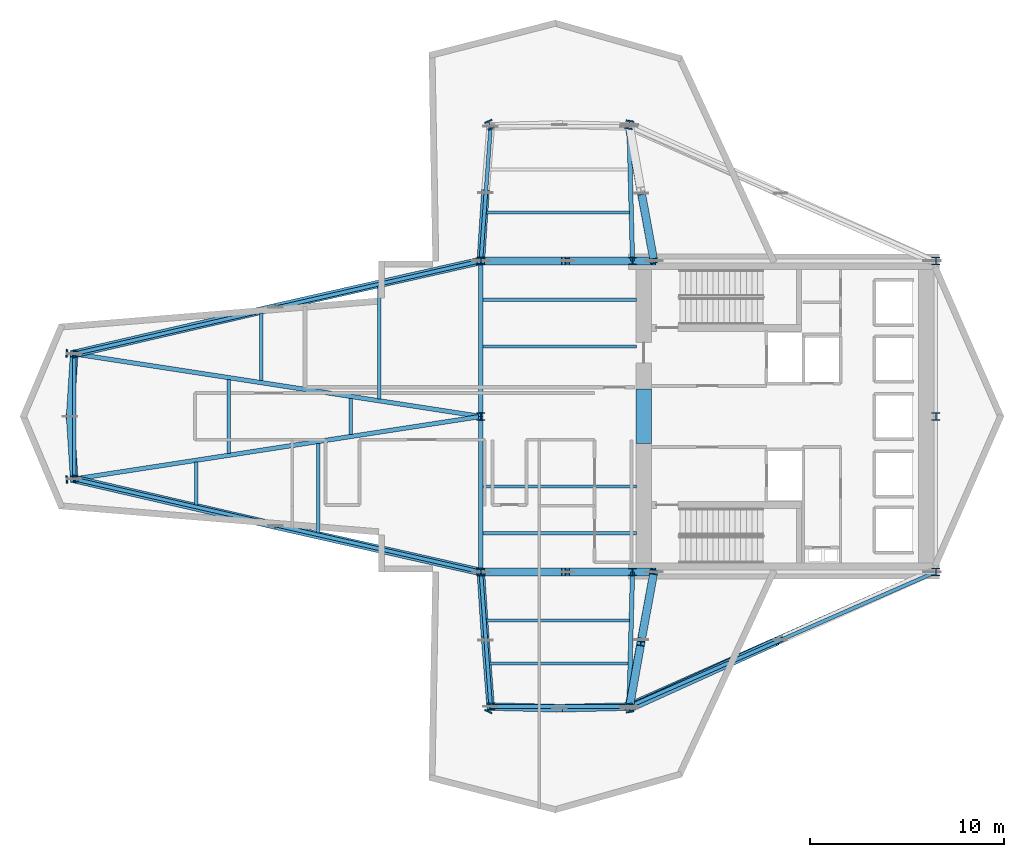
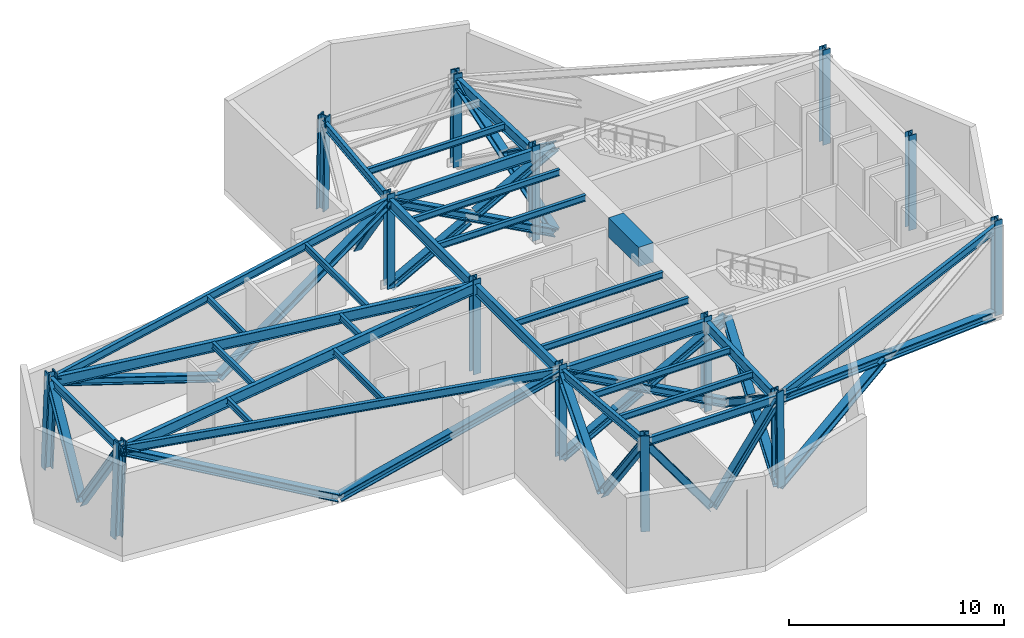
# One storey, part 1 of 6: 29 beams, 24 members, 14 columns.
"""IFC4 building model written with IfcOpenShell, lengths in metres."""

from ifc_helpers import new_model, si_unit, direction, frame, origin, origin_2d, place, context, subcontext, project, spatial, rectangle, i_section, extrude, material, material_profile, profile_set, type_object, element, save


model = new_model("IFC4")

# Units and contexts
model_context = context("Model", 3, precision=1e-05, world=origin(), true_north=direction((0.0, 1.0)))
body_context = subcontext(model_context, "Body", "Model", "MODEL_VIEW")
ifc_project = project(units=[si_unit("LENGTHUNIT", "METRE"), si_unit("AREAUNIT", "SQUARE_METRE"), si_unit("VOLUMEUNIT", "CUBIC_METRE"), si_unit("PLANEANGLEUNIT", "RADIAN"), si_unit("MASSUNIT", "GRAM", prefix="KILO")], contexts=[model_context])

# Site, building, storey
site_placement = place(None, origin())
site = spatial("IfcSite", under=ifc_project, at=site_placement, CompositionType="ELEMENT")
building_placement = place(site_placement, origin())
building = spatial("IfcBuilding", under=site, at=building_placement, Name="Veymaron Broadcast Tower", CompositionType="ELEMENT")
storey_placement = place(building_placement, frame((0.0, 0.0, 106.64990234375)))
storey = spatial("IfcBuildingStorey", under=building, at=storey_placement, Name="L24", CompositionType="ELEMENT", Elevation=106.64990234375)

# Columns
ifc_material_1 = material(Name="Structural steel ASTM A992 Gr 50", Category="steel")
ifc_material_profile_1 = material_profile(ifc_material_1, i_section(OverallWidth=0.39794921875, OverallDepth=0.386962890625, WebThickness=0.02099609375, FlangeThickness=0.033203125, at=origin_2d()), Name="W360X262")
ifc_profile_set_1 = profile_set([ifc_material_profile_1], Name="Structural steel ASTM A992 Gr 50")
column_type_1 = type_object("IfcColumnType", Name="COL-HC2", PredefinedType="COLUMN", material=ifc_profile_set_1)
for number, where, z_axis, x_axis, name in (
    (1, (31.199951171875, 16.0, 0.0), (0.0, 0.0, 1.0), (1.0, 0.0, 0.0), "L24 structural hub and core column"),
    (2, (31.199951171875, 24.0, 0.0), (0.0, 0.0, 1.0), (1.0, 0.0, 0.0), "L24 structural hub and core column"),
    (3, (31.199951171875, 32.0, 0.0), (0.0, 0.0, 1.0), (1.0, 0.0, 0.0), "L24 structural hub and core column"),
    (4, (39.0, 16.0, 0.0), (0.0, 0.0, 1.0), (1.0, 0.0, 0.0), "L24 structural hub and core column"),
    (5, (39.0, 32.0, 0.0), (0.0, 0.0, 1.0), (1.0, 0.0, 0.0), "L24 structural hub and core column"),
    (6, (54.60009765625, 16.0, 0.0), (0.0, 0.0, 1.0), (1.0, 0.0, 0.0), "L24 structural hub and core column"),
    (7, (54.60009765625, 24.0, 0.0), (0.0, 0.0, 1.0), (1.0, 0.0, 0.0), "L24 structural hub and core column"),
    (8, (54.60009765625, 32.0, 0.0), (0.0, 0.0, 1.0), (1.0, 0.0, 0.0), "L24 structural hub and core column"),
):
    element("IfcColumn", number, at=place(storey_placement, frame(where, z_axis=z_axis, x_axis=x_axis)), inside=storey, type_object=column_type_1, Name=name, PredefinedType="COLUMN", context=body_context, shape_type="SweptSolid", body=[
        extrude(i_section(OverallWidth=0.39794921875, OverallDepth=0.386962890625, WebThickness=0.02099609375, FlangeThickness=0.033203125, at=origin_2d()), origin(), (0.0, 0.0, 1.0), 5.39404296875),
    ])
ifc_material_2 = material(Name="Structural steel ASTM A913 Gr 65", Category="steel")
ifc_material_profile_2 = material_profile(ifc_material_2, i_section(OverallWidth=0.41796875, OverallDepth=0.455078125, WebThickness=0.0419921875, FlangeThickness=0.067626953125, at=origin_2d()), Name="W360X551")
ifc_profile_set_2 = profile_set([ifc_material_profile_2], Name="Structural steel ASTM A913 Gr 65")
column_type_2 = type_object("IfcColumnType", Name="COL-MC2", PredefinedType="COLUMN", material=ifc_profile_set_2)
for number, where, z_axis, x_axis, name in (
    (9, (10.076904296875, 20.764892578125, 0.01611328125), (0.038539438523, 0.002817741967, 0.99925310708), (-0.072918572693, 0.997337897483, 0.0), "L24 Tapered Wing Mega Column"),
    (10, (10.076904296875, 27.235107421875, 0.01611328125), (0.038539438523, -0.002817741967, 0.99925310708), (0.072918572693, 0.997337897483, 0.0), "L24 Tapered Wing Mega Column"),
):
    element("IfcColumn", number, at=place(storey_placement, frame(where, z_axis=z_axis, x_axis=x_axis)), inside=storey, type_object=column_type_2, Name=name, PredefinedType="COLUMN", context=body_context, shape_type="SweptSolid", body=[
        extrude(i_section(OverallWidth=0.41796875, OverallDepth=0.455078125, WebThickness=0.0419921875, FlangeThickness=0.067626953125, at=origin_2d()), origin(), (0.0, 0.0, 1.0), 5.371826171875),
    ])
column_1_placement = place(storey_placement, frame((31.662109375, 39.010009765625, 0.01611328125), z_axis=(0.007821463692, -0.016779768036, 0.999828617359), x_axis=(0.906371306068, 0.422482018004, 0.0)))
element("IfcColumn", 11, at=column_1_placement, inside=storey, type_object=column_type_2, Name="L24 Tapered Wing Mega Column", PredefinedType="COLUMN", context=body_context, shape_type="SweptSolid", body=[
    extrude(i_section(OverallWidth=0.41796875, OverallDepth=0.455078125, WebThickness=0.0419921875, FlangeThickness=0.067626953125, at=origin_2d()), origin(), (0.0, 0.0, 1.0), 5.368896484375),
])
column_2_placement = place(storey_placement, frame((38.8349609375, 39.010009765625, 0.01611328125), z_axis=(-0.002773965371, -0.016780216752, 0.99985535426), x_axis=(0.986609855888, -0.163098106258, 0.0)))
element("IfcColumn", 12, at=column_2_placement, inside=storey, type_object=column_type_2, Name="L24 Tapered Wing Mega Column", PredefinedType="COLUMN", context=body_context, shape_type="SweptSolid", body=[
    extrude(i_section(OverallWidth=0.41796875, OverallDepth=0.455078125, WebThickness=0.0419921875, FlangeThickness=0.067626953125, at=origin_2d()), origin(), (0.0, 0.0, 1.0), 5.36865234375),
])
column_3_placement = place(storey_placement, frame((31.662109375, 8.989990234375, 0.01611328125), z_axis=(0.007821463692, 0.016779768036, 0.999828617359), x_axis=(-0.906371306068, 0.422482018004, 0.0)))
element("IfcColumn", 13, at=column_3_placement, inside=storey, type_object=column_type_2, Name="L24 Tapered Wing Mega Column", PredefinedType="COLUMN", context=body_context, shape_type="SweptSolid", body=[
    extrude(i_section(OverallWidth=0.41796875, OverallDepth=0.455078125, WebThickness=0.0419921875, FlangeThickness=0.067626953125, at=origin_2d()), origin(), (0.0, 0.0, 1.0), 5.368896484375),
])
column_4_placement = place(storey_placement, frame((38.8349609375, 8.989990234375, 0.01611328125), z_axis=(-0.002773965371, 0.016780216752, 0.99985535426), x_axis=(-0.986609855888, -0.163098106258, 0.0)))
element("IfcColumn", 14, at=column_4_placement, inside=storey, type_object=column_type_2, Name="L24 Tapered Wing Mega Column", PredefinedType="COLUMN", context=body_context, shape_type="SweptSolid", body=[
    extrude(i_section(OverallWidth=0.41796875, OverallDepth=0.455078125, WebThickness=0.0419921875, FlangeThickness=0.067626953125, at=origin_2d()), origin(), (0.0, 0.0, 1.0), 5.36865234375),
])

# Beams
ifc_material_3 = material(Name="Concrete C70/85", Category="concrete")
ifc_material_profile_3 = material_profile(ifc_material_3, rectangle(XDim=0.800048828125, YDim=1.10009765625, at=origin_2d()), Name="RC800X1100")
ifc_profile_set_3 = profile_set([ifc_material_profile_3], Name="Concrete C70/85")
beam_type_1 = type_object("IfcBeamType", Name="BM-CB1", PredefinedType="LINTEL", material=ifc_profile_set_3)
beam_1_placement = place(storey_placement, frame((39.580078125, 22.60009765625, 4.570068359375), z_axis=(0.0, 1.0, 0.0), x_axis=(-1.0, 0.0, 0.0)))
element("IfcBeam", 15, at=beam_1_placement, inside=storey, type_object=beam_type_1, Name="L24 Core Wall west coupling beam", PredefinedType="LINTEL", context=body_context, shape_type="SweptSolid", body=[
    extrude(rectangle(XDim=0.800048828125, YDim=1.10009765625, at=origin_2d()), origin(), (0.0, 0.0, 1.0), 2.7998046875),
])
ifc_material_profile_4 = material_profile(ifc_material_1, i_section(OverallWidth=0.22802734375, OverallDepth=0.60791015625, WebThickness=0.01123046875, FlangeThickness=0.017333984375, at=origin_2d()), Name="W610X113")
ifc_profile_set_4 = profile_set([ifc_material_profile_4], Name="Structural steel ASTM A992 Gr 50")
beam_type_2 = type_object("IfcBeamType", Name="BM-FG2", PredefinedType="BEAM", material=ifc_profile_set_4)
for number, where, z_axis, x_axis, name in (
    (16, (31.199951171875, 16.0, 4.816162109375), (0.0, 1.0, 0.0), (-1.0, 0.0, 0.0), "L24 primary structural floor girder"),
    (17, (31.199951171875, 24.0, 4.816162109375), (0.0, 1.0, 0.0), (-1.0, 0.0, 0.0), "L24 primary structural floor girder"),
):
    element("IfcBeam", number, at=place(storey_placement, frame(where, z_axis=z_axis, x_axis=x_axis)), inside=storey, type_object=beam_type_2, Name=name, PredefinedType="BEAM", context=body_context, shape_type="SweptSolid", body=[
        extrude(i_section(OverallWidth=0.22802734375, OverallDepth=0.60791015625, WebThickness=0.01123046875, FlangeThickness=0.017333984375, at=origin_2d()), origin(), (0.0, 0.0, 1.0), 8.0),
    ])
for number, where, z_axis, x_axis, name in (
    (18, (31.199951171875, 16.0, 4.816162109375), (1.0, 0.0, 0.0), (0.0, 1.0, 0.0), "L24 primary structural floor girder"),
    (19, (31.199951171875, 32.0, 4.816162109375), (1.0, 0.0, 0.0), (0.0, 1.0, 0.0), "L24 primary structural floor girder"),
):
    element("IfcBeam", number, at=place(storey_placement, frame(where, z_axis=z_axis, x_axis=x_axis)), inside=storey, type_object=beam_type_2, Name=name, PredefinedType="BEAM", context=body_context, shape_type="SweptSolid", body=[
        extrude(i_section(OverallWidth=0.22802734375, OverallDepth=0.60791015625, WebThickness=0.01123046875, FlangeThickness=0.017333984375, at=origin_2d()), origin(), (0.0, 0.0, 1.0), 7.800048828125),
    ])
for number, where, z_axis, x_axis, name in (
    (20, (10.283935546875, 20.780029296875, 4.816162109375), (0.988356621968, 0.152155143888, 0.0), (-0.152155143888, 0.988356621968, 0.0), "L24 primary structural floor girder"),
    (21, (10.283935546875, 27.219970703125, 4.816162109375), (0.988356621968, -0.152155143888, 0.0), (0.152155143888, 0.988356621968, 0.0), "L24 primary structural floor girder"),
):
    element("IfcBeam", number, at=place(storey_placement, frame(where, z_axis=z_axis, x_axis=x_axis)), inside=storey, type_object=beam_type_2, Name=name, PredefinedType="BEAM", context=body_context, shape_type="SweptSolid", body=[
        extrude(i_section(OverallWidth=0.22802734375, OverallDepth=0.60791015625, WebThickness=0.01123046875, FlangeThickness=0.017333984375, at=origin_2d()), origin(), (0.0, 0.0, 1.0), 21.162353515625),
    ])
for number, where, z_axis, x_axis, name in (
    (22, (39.0, 32.0, 4.816162109375), (-0.025993190178, 0.999662119951, 0.0), (-0.999662119951, -0.025993190178, 0.0), "L24 primary structural floor girder"),
    (23, (39.0, 16.0, 4.816162109375), (-0.025993190178, -0.999662119951, 0.0), (0.999662119951, -0.025993190178, 0.0), "L24 primary structural floor girder"),
):
    element("IfcBeam", number, at=place(storey_placement, frame(where, z_axis=z_axis, x_axis=x_axis)), inside=storey, type_object=beam_type_2, Name=name, PredefinedType="BEAM", context=body_context, shape_type="SweptSolid", body=[
        extrude(i_section(OverallWidth=0.22802734375, OverallDepth=0.60791015625, WebThickness=0.01123046875, FlangeThickness=0.017333984375, at=origin_2d()), origin(), (0.0, 0.0, 1.0), 6.92236328125),
    ])
ifc_material_profile_5 = material_profile(ifc_material_1, i_section(OverallWidth=0.1708984375, OverallDepth=0.35498046875, WebThickness=0.007080078125, FlangeThickness=0.01171875, at=origin_2d()), Name="W360X51")
ifc_profile_set_5 = profile_set([ifc_material_profile_5], Name="Structural steel ASTM A992 Gr 50")
beam_type_3 = type_object("IfcBeamType", Name="BM-JS2", PredefinedType="JOIST", material=ifc_profile_set_5)
beam_2_placement = place(storey_placement, frame((16.558837890625, 19.446044921875, 4.942626953125), z_axis=(0.0, 1.0, 0.0), x_axis=(-1.0, 0.0, 0.0)))
element("IfcBeam", 24, at=beam_2_placement, inside=storey, type_object=beam_type_3, Name="L24 Arm-A secondary joist 1S", PredefinedType="JOIST", context=body_context, shape_type="SweptSolid", body=[
    extrude(i_section(OverallWidth=0.1708984375, OverallDepth=0.35498046875, WebThickness=0.007080078125, FlangeThickness=0.01171875, at=origin_2d()), origin(), (0.0, 0.0, 1.0), 2.199951171875),
])
beam_3_placement = place(storey_placement, frame((18.232177734375, 22.103515625, 4.942626953125), z_axis=(0.0, 1.0, 0.0), x_axis=(-1.0, 0.0, 0.0)))
element("IfcBeam", 25, at=beam_3_placement, inside=storey, type_object=beam_type_3, Name="L24 Arm-A secondary joist 1M", PredefinedType="JOIST", context=body_context, shape_type="SweptSolid", body=[
    extrude(i_section(OverallWidth=0.1708984375, OverallDepth=0.35498046875, WebThickness=0.007080078125, FlangeThickness=0.01171875, at=origin_2d()), origin(), (0.0, 0.0, 1.0), 3.79296875),
])
beam_4_placement = place(storey_placement, frame((19.905517578125, 25.8388671875, 4.942626953125), z_axis=(0.0, 1.0, 0.0), x_axis=(-1.0, 0.0, 0.0)))
element("IfcBeam", 26, at=beam_4_placement, inside=storey, type_object=beam_type_3, Name="L24 Arm-A secondary joist 1N", PredefinedType="JOIST", context=body_context, shape_type="SweptSolid", body=[
    extrude(i_section(OverallWidth=0.1708984375, OverallDepth=0.35498046875, WebThickness=0.007080078125, FlangeThickness=0.01171875, at=origin_2d()), origin(), (0.0, 0.0, 1.0), 3.47998046875),
])
beam_5_placement = place(storey_placement, frame((22.83349609375, 18.011962890625, 4.942626953125), z_axis=(0.0, 1.0, 0.0), x_axis=(-1.0, 0.0, 0.0)))
element("IfcBeam", 27, at=beam_5_placement, inside=storey, type_object=beam_type_3, Name="L24 Arm-A secondary joist 2S", PredefinedType="JOIST", context=body_context, shape_type="SweptSolid", body=[
    extrude(i_section(OverallWidth=0.1708984375, OverallDepth=0.35498046875, WebThickness=0.007080078125, FlangeThickness=0.01171875, at=origin_2d()), origin(), (0.0, 0.0, 1.0), 4.60009765625),
])
beam_6_placement = place(storey_placement, frame((24.5068359375, 23.069580078125, 4.942626953125), z_axis=(0.0, 1.0, 0.0), x_axis=(-1.0, 0.0, 0.0)))
element("IfcBeam", 28, at=beam_6_placement, inside=storey, type_object=beam_type_3, Name="L24 Arm-A secondary joist 2M", PredefinedType="JOIST", context=body_context, shape_type="SweptSolid", body=[
    extrude(i_section(OverallWidth=0.1708984375, OverallDepth=0.35498046875, WebThickness=0.007080078125, FlangeThickness=0.01171875, at=origin_2d()), origin(), (0.0, 0.0, 1.0), 1.86083984375),
])
beam_7_placement = place(storey_placement, frame((25.970947265625, 24.905029296875, 4.942626953125), z_axis=(0.0, 1.0, 0.0), x_axis=(-1.0, 0.0, 0.0)))
element("IfcBeam", 29, at=beam_7_placement, inside=storey, type_object=beam_type_3, Name="L24 Arm-A secondary joist 2N", PredefinedType="JOIST", context=body_context, shape_type="SweptSolid", body=[
    extrude(i_section(OverallWidth=0.1708984375, OverallDepth=0.35498046875, WebThickness=0.007080078125, FlangeThickness=0.01171875, at=origin_2d()), origin(), (0.0, 0.0, 1.0), 5.800048828125),
])
for number, where, z_axis, x_axis, name in (
    (30, (31.4814453125, 34.4912109375, 4.942626953125), (1.0, 0.0, 0.0), (0.0, 1.0, 0.0), "L24 Arm-B secondary joist 1"),
    (31, (31.4814453125, 13.5087890625, 4.942626953125), (1.0, 0.0, 0.0), (0.0, 1.0, 0.0), "L24 Arm-C secondary joist 1"),
):
    element("IfcBeam", number, at=place(storey_placement, frame(where, z_axis=z_axis, x_axis=x_axis)), inside=storey, type_object=beam_type_3, Name=name, PredefinedType="JOIST", context=body_context, shape_type="SweptSolid", body=[
        extrude(i_section(OverallWidth=0.1708984375, OverallDepth=0.35498046875, WebThickness=0.007080078125, FlangeThickness=0.01171875, at=origin_2d()), origin(), (0.0, 0.0, 1.0), 7.353759765625),
    ])
beam_8_placement = place(storey_placement, frame((31.642578125, 11.29443359375, 4.942626953125), z_axis=(1.0, 0.0, 0.0), x_axis=(0.0, 1.0, 0.0)))
element("IfcBeam", 32, at=beam_8_placement, inside=storey, type_object=beam_type_3, Name="L24 Arm-C secondary joist 2", PredefinedType="JOIST", context=body_context, shape_type="SweptSolid", body=[
    extrude(i_section(OverallWidth=0.1708984375, OverallDepth=0.35498046875, WebThickness=0.007080078125, FlangeThickness=0.01171875, at=origin_2d()), origin(), (0.0, 0.0, 1.0), 7.135009765625),
])
for number, where, z_axis, x_axis, name in (
    (33, (31.300048828125, 18.0, 4.942626953125), (1.0, 0.0, 0.0), (0.0, 1.0, 0.0), "L24 Hub secondary joist 1"),
    (34, (31.300048828125, 20.39990234375, 4.942626953125), (1.0, 0.0, 0.0), (0.0, 1.0, 0.0), "L24 Hub secondary joist 2"),
    (35, (31.300048828125, 27.60009765625, 4.942626953125), (1.0, 0.0, 0.0), (0.0, 1.0, 0.0), "L24 Hub secondary joist 3"),
    (36, (31.300048828125, 30.0, 4.942626953125), (1.0, 0.0, 0.0), (0.0, 1.0, 0.0), "L24 Hub secondary joist 4"),
):
    element("IfcBeam", number, at=place(storey_placement, frame(where, z_axis=z_axis, x_axis=x_axis)), inside=storey, type_object=beam_type_3, Name=name, PredefinedType="JOIST", context=body_context, shape_type="SweptSolid", body=[
        extrude(i_section(OverallWidth=0.1708984375, OverallDepth=0.35498046875, WebThickness=0.007080078125, FlangeThickness=0.01171875, at=origin_2d()), origin(), (0.0, 0.0, 1.0), 7.89990234375),
    ])
ifc_material_profile_6 = material_profile(ifc_material_1, i_section(OverallWidth=0.19091796875, OverallDepth=0.4599609375, WebThickness=0.010009765625, FlangeThickness=0.01611328125, at=origin_2d()), Name="W460X82")
ifc_profile_set_6 = profile_set([ifc_material_profile_6], Name="Structural steel ASTM A992 Gr 50")
beam_type_4 = type_object("IfcBeamType", Name="BM-SP1", PredefinedType="SPANDREL", material=ifc_profile_set_6)
for number, where, z_axis, x_axis, name in (
    (37, (10.283935546875, 20.780029296875, 4.89013671875), (0.974866345069, -0.2227905053, 0.0), (0.2227905053, 0.974866345069, 0.0), "L24 primary structural floor girder"),
    (38, (10.283935546875, 27.219970703125, 4.89013671875), (0.974866345069, 0.2227905053, 0.0), (-0.2227905053, 0.974866345069, 0.0), "L24 primary structural floor girder"),
):
    element("IfcBeam", number, at=place(storey_placement, frame(where, z_axis=z_axis, x_axis=x_axis)), inside=storey, type_object=beam_type_4, Name=name, PredefinedType="SPANDREL", context=body_context, shape_type="SweptSolid", body=[
        extrude(i_section(OverallWidth=0.19091796875, OverallDepth=0.4599609375, WebThickness=0.010009765625, FlangeThickness=0.01611328125, at=origin_2d()), origin(), (0.0, 0.0, 1.0), 21.455322265625),
    ])
beam_9_placement = place(storey_placement, frame((10.283935546875, 20.780029296875, 4.89013671875), z_axis=(0.0, 1.0, 0.0), x_axis=(-1.0, 0.0, 0.0)))
element("IfcBeam", 39, at=beam_9_placement, inside=storey, type_object=beam_type_4, Name="L24 primary structural floor girder", PredefinedType="SPANDREL", context=body_context, shape_type="SweptSolid", body=[
    extrude(i_section(OverallWidth=0.19091796875, OverallDepth=0.4599609375, WebThickness=0.010009765625, FlangeThickness=0.01611328125, at=origin_2d()), origin(), (0.0, 0.0, 1.0), 6.43994140625),
])
for number, where, z_axis, x_axis, name in (
    (40, (31.199951171875, 32.0, 4.89013671875), (0.072662340376, 0.997356598359, 0.0), (-0.997356598359, 0.072662340376, 0.0), "L24 primary structural floor girder"),
    (41, (31.199951171875, 16.0, 4.89013671875), (0.072662340376, -0.997356598359, 0.0), (0.997356598359, 0.072662340376, 0.0), "L24 primary structural floor girder"),
):
    element("IfcBeam", number, at=place(storey_placement, frame(where, z_axis=z_axis, x_axis=x_axis)), inside=storey, type_object=beam_type_4, Name=name, PredefinedType="SPANDREL", context=body_context, shape_type="SweptSolid", body=[
        extrude(i_section(OverallWidth=0.19091796875, OverallDepth=0.4599609375, WebThickness=0.010009765625, FlangeThickness=0.01611328125, at=origin_2d()), origin(), (0.0, 0.0, 1.0), 6.938232421875),
    ])
beam_10_placement = place(storey_placement, frame((54.60009765625, 16.0, 4.89013671875), z_axis=(-0.915812620629, -0.401605831502, 0.0), x_axis=(0.401605831502, -0.915812620629, 0.0)))
element("IfcBeam", 42, at=beam_10_placement, inside=storey, type_object=beam_type_4, Name="L24 primary structural floor girder", PredefinedType="SPANDREL", context=body_context, shape_type="SweptSolid", body=[
    extrude(i_section(OverallWidth=0.19091796875, OverallDepth=0.4599609375, WebThickness=0.010009765625, FlangeThickness=0.01611328125, at=origin_2d()), origin(), (0.0, 0.0, 1.0), 17.230712890625),
])
beam_11_placement = place(storey_placement, frame((31.7041015625, 9.080078125, 4.89013671875), z_axis=(1.0, 0.0, 0.0), x_axis=(0.0, 1.0, 0.0)))
element("IfcBeam", 43, at=beam_11_placement, inside=storey, type_object=beam_type_4, Name="L24 primary structural floor girder", PredefinedType="SPANDREL", context=body_context, shape_type="SweptSolid", body=[
    extrude(i_section(OverallWidth=0.19091796875, OverallDepth=0.4599609375, WebThickness=0.010009765625, FlangeThickness=0.01611328125, at=origin_2d()), origin(), (0.0, 0.0, 1.0), 7.115966796875),
])

# Members
ifc_material_profile_7 = material_profile(ifc_material_2, i_section(OverallWidth=0.40087890625, OverallDepth=0.39892578125, WebThickness=0.02490234375, FlangeThickness=0.03955078125, at=origin_2d()), Name="W360X314")
ifc_profile_set_7 = profile_set([ifc_material_profile_7], Name="Structural steel ASTM A913 Gr 65")
member_type_1 = type_object("IfcMemberType", Name="MEM-BT1", PredefinedType="BRACE", material=ifc_profile_set_7)
for number, where, z_axis, x_axis, name in (
    (44, (10.076904296875, 24.0, 0.02001953125), (0.035539805407, -0.552752940457, 0.832586997886), (0.99793939858, 0.064163515808, 0.0), "L24 Belt Truss perimeter diagonal L"),
    (45, (10.076904296875, 24.0, 0.02001953125), (0.035539805407, 0.552752940457, 0.832586997886), (-0.99793939858, 0.064163515808, 0.0), "L24 Belt Truss perimeter diagonal R"),
):
    element("IfcMember", number, at=place(storey_placement, frame(where, z_axis=z_axis, x_axis=x_axis)), inside=storey, type_object=member_type_1, Name=name, PredefinedType="BRACE", context=body_context, shape_type="SweptSolid", body=[
        extrude(i_section(OverallWidth=0.40087890625, OverallDepth=0.39892578125, WebThickness=0.02490234375, FlangeThickness=0.03955078125, at=origin_2d()), origin(), (0.0, 0.0, 1.0), 5.825439453125),
    ])
member_1_placement = place(storey_placement, frame((35.24853515625, 8.989990234375, 0.02001953125), z_axis=(-0.589964517218, 0.014994965343, 0.80728992279), x_axis=(-0.025408518315, -0.999677151483, 0.0)))
element("IfcMember", 46, at=member_1_placement, inside=storey, type_object=member_type_1, Name="L24 Belt Truss perimeter diagonal L", PredefinedType="BRACE", context=body_context, shape_type="SweptSolid", body=[
    extrude(i_section(OverallWidth=0.40087890625, OverallDepth=0.39892578125, WebThickness=0.02490234375, FlangeThickness=0.03955078125, at=origin_2d()), origin(), (0.0, 0.0, 1.0), 6.0078125),
])
member_2_placement = place(storey_placement, frame((35.24853515625, 8.989990234375, 0.02001953125), z_axis=(0.592893502545, 0.014955068866, 0.805142000243), x_axis=(-0.025215849958, 0.999682029903, 0.0)))
element("IfcMember", 47, at=member_2_placement, inside=storey, type_object=member_type_1, Name="L24 Belt Truss perimeter diagonal R", PredefinedType="BRACE", context=body_context, shape_type="SweptSolid", body=[
    extrude(i_section(OverallWidth=0.40087890625, OverallDepth=0.39892578125, WebThickness=0.02490234375, FlangeThickness=0.03955078125, at=origin_2d()), origin(), (0.0, 0.0, 1.0), 6.02392578125),
])
member_3_placement = place(storey_placement, frame((20.638427734375, 29.617431640625, 0.02001953125), z_axis=(-0.886305652825, -0.205213654408, 0.41515014852), x_axis=(0.225570759414, -0.974226786994, 0.0)))
element("IfcMember", 48, at=member_3_placement, inside=storey, type_object=member_type_1, Name="L24 Belt Truss perimeter diagonal L", PredefinedType="BRACE", context=body_context, shape_type="SweptSolid", body=[
    extrude(i_section(OverallWidth=0.40087890625, OverallDepth=0.39892578125, WebThickness=0.02490234375, FlangeThickness=0.03955078125, at=origin_2d()), origin(), (0.0, 0.0, 1.0), 11.682861328125),
])
member_4_placement = place(storey_placement, frame((20.638427734375, 29.617431640625, 0.02001953125), z_axis=(0.89024339026, 0.200829524862, 0.408820508343), x_axis=(-0.220059462764, 0.975486459592, 0.0)))
element("IfcMember", 49, at=member_4_placement, inside=storey, type_object=member_type_1, Name="L24 Belt Truss perimeter diagonal R", PredefinedType="BRACE", context=body_context, shape_type="SweptSolid", body=[
    extrude(i_section(OverallWidth=0.40087890625, OverallDepth=0.39892578125, WebThickness=0.02490234375, FlangeThickness=0.03955078125, at=origin_2d()), origin(), (0.0, 0.0, 1.0), 11.863525390625),
])
member_5_placement = place(storey_placement, frame((20.638427734375, 18.382568359375, 0.02001953125), z_axis=(-0.886305652825, 0.205213654408, 0.41515014852), x_axis=(-0.225570759414, -0.974226786994, 0.0)))
element("IfcMember", 50, at=member_5_placement, inside=storey, type_object=member_type_1, Name="L24 Belt Truss perimeter diagonal L", PredefinedType="BRACE", context=body_context, shape_type="SweptSolid", body=[
    extrude(i_section(OverallWidth=0.40087890625, OverallDepth=0.39892578125, WebThickness=0.02490234375, FlangeThickness=0.03955078125, at=origin_2d()), origin(), (0.0, 0.0, 1.0), 11.682861328125),
])
member_6_placement = place(storey_placement, frame((20.638427734375, 18.382568359375, 0.02001953125), z_axis=(0.89024339026, -0.200829524862, 0.408820508343), x_axis=(0.220059462764, 0.975486459592, 0.0)))
element("IfcMember", 51, at=member_6_placement, inside=storey, type_object=member_type_1, Name="L24 Belt Truss perimeter diagonal R", PredefinedType="BRACE", context=body_context, shape_type="SweptSolid", body=[
    extrude(i_section(OverallWidth=0.40087890625, OverallDepth=0.39892578125, WebThickness=0.02490234375, FlangeThickness=0.03955078125, at=origin_2d()), origin(), (0.0, 0.0, 1.0), 11.863525390625),
])
for number, where, z_axis, x_axis, name in (
    (52, (31.430908203125, 35.5048828125, 0.02001953125), (-0.038567371323, -0.585278205823, 0.809914797777), (0.997835917457, -0.065753188765, 0.0), "L24 Belt Truss perimeter diagonal L"),
    (53, (31.430908203125, 12.4951171875, 0.02001953125), (-0.038567371323, 0.585278205823, 0.809914797777), (-0.997835917457, -0.065753188765, 0.0), "L24 Belt Truss perimeter diagonal L"),
):
    element("IfcMember", number, at=place(storey_placement, frame(where, z_axis=z_axis, x_axis=x_axis)), inside=storey, type_object=member_type_1, Name=name, PredefinedType="BRACE", context=body_context, shape_type="SweptSolid", body=[
        extrude(i_section(OverallWidth=0.40087890625, OverallDepth=0.39892578125, WebThickness=0.02490234375, FlangeThickness=0.03955078125, at=origin_2d()), origin(), (0.0, 0.0, 1.0), 5.988525390625),
    ])
member_7_placement = place(storey_placement, frame((31.430908203125, 12.4951171875, 0.02001953125), z_axis=(0.046007162785, -0.57511009208, 0.816781318935), x_axis=(0.996815505121, 0.079742389922, 0.0)))
element("IfcMember", 54, at=member_7_placement, inside=storey, type_object=member_type_1, Name="L24 Belt Truss perimeter diagonal R", PredefinedType="BRACE", context=body_context, shape_type="SweptSolid", body=[
    extrude(i_section(OverallWidth=0.40087890625, OverallDepth=0.39892578125, WebThickness=0.02490234375, FlangeThickness=0.03955078125, at=origin_2d()), origin(), (0.0, 0.0, 1.0), 5.93798828125),
])
ifc_material_profile_8 = material_profile(ifc_material_2, i_section(OverallWidth=0.412109375, OverallDepth=0.43505859375, WebThickness=0.035888671875, FlangeThickness=0.05810546875, at=origin_2d()), Name="W360X463")
ifc_profile_set_8 = profile_set([ifc_material_profile_8], Name="Structural steel ASTM A913 Gr 65")
member_type_2 = type_object("IfcMemberType", Name="MEM-OT1", PredefinedType="BRACE", material=ifc_profile_set_8)
member_8_placement = place(storey_placement, frame((40.10009765625, 32.0, 0.02001953125), z_axis=(-0.878083290184, 0.0, 0.478507821775), x_axis=(0.0, -1.0, 0.0)))
element("IfcMember", 55, at=member_8_placement, inside=storey, type_object=member_type_2, Name="L24 Outrigger continuous diagonal brace OT-NWA", PredefinedType="BRACE", context=body_context, shape_type="SweptSolid", body=[
    extrude(i_section(OverallWidth=0.412109375, OverallDepth=0.43505859375, WebThickness=0.035888671875, FlangeThickness=0.05810546875, at=origin_2d()), origin(), (0.0, 0.0, 1.0), 10.135986328125),
])
member_9_placement = place(storey_placement, frame((40.10009765625, 32.0, 4.8701171875), z_axis=(-0.878082955067, 0.0, -0.478508436729), x_axis=(0.0, -1.0, 0.0)))
element("IfcMember", 56, at=member_9_placement, inside=storey, type_object=member_type_2, Name="L24 Outrigger split diagonal upper segment OT-NWB1", PredefinedType="BRACE", context=body_context, shape_type="SweptSolid", body=[
    extrude(i_section(OverallWidth=0.412109375, OverallDepth=0.43505859375, WebThickness=0.035888671875, FlangeThickness=0.05810546875, at=origin_2d()), origin(), (0.0, 0.0, 1.0), 4.828125),
])
member_10_placement = place(storey_placement, frame((35.439208984375, 32.0, 2.330322265625), z_axis=(-0.878071376125, 0.0, -0.478529683959), x_axis=(0.0, -1.0, 0.0)))
element("IfcMember", 57, at=member_10_placement, inside=storey, type_object=member_type_2, Name="L24 Outrigger split diagonal lower segment OT-NWB2", PredefinedType="BRACE", context=body_context, shape_type="SweptSolid", body=[
    extrude(i_section(OverallWidth=0.412109375, OverallDepth=0.43505859375, WebThickness=0.035888671875, FlangeThickness=0.05810546875, at=origin_2d()), origin(), (0.0, 0.0, 1.0), 4.827880859375),
])
member_11_placement = place(storey_placement, frame((40.10009765625, 16.0, 0.02001953125), z_axis=(-0.878083290184, 0.0, 0.478507821775), x_axis=(0.0, -1.0, 0.0)))
element("IfcMember", 58, at=member_11_placement, inside=storey, type_object=member_type_2, Name="L24 Outrigger continuous diagonal brace OT-SWA", PredefinedType="BRACE", context=body_context, shape_type="SweptSolid", body=[
    extrude(i_section(OverallWidth=0.412109375, OverallDepth=0.43505859375, WebThickness=0.035888671875, FlangeThickness=0.05810546875, at=origin_2d()), origin(), (0.0, 0.0, 1.0), 10.135986328125),
])
member_12_placement = place(storey_placement, frame((40.10009765625, 16.0, 4.8701171875), z_axis=(-0.878082955067, 0.0, -0.478508436729), x_axis=(0.0, -1.0, 0.0)))
element("IfcMember", 59, at=member_12_placement, inside=storey, type_object=member_type_2, Name="L24 Outrigger split diagonal upper segment OT-SWB1", PredefinedType="BRACE", context=body_context, shape_type="SweptSolid", body=[
    extrude(i_section(OverallWidth=0.412109375, OverallDepth=0.43505859375, WebThickness=0.035888671875, FlangeThickness=0.05810546875, at=origin_2d()), origin(), (0.0, 0.0, 1.0), 4.828125),
])
member_13_placement = place(storey_placement, frame((35.439208984375, 16.0, 2.330322265625), z_axis=(-0.878071376125, 0.0, -0.478529683959), x_axis=(0.0, -1.0, 0.0)))
element("IfcMember", 60, at=member_13_placement, inside=storey, type_object=member_type_2, Name="L24 Outrigger split diagonal lower segment OT-SWB2", PredefinedType="BRACE", context=body_context, shape_type="SweptSolid", body=[
    extrude(i_section(OverallWidth=0.412109375, OverallDepth=0.43505859375, WebThickness=0.035888671875, FlangeThickness=0.05810546875, at=origin_2d()), origin(), (0.0, 0.0, 1.0), 4.827880859375),
])
member_14_placement = place(storey_placement, frame((40.10009765625, 32.0, 0.02001953125), z_axis=(-0.149767645064, 0.809653658536, 0.567477405464), x_axis=(-0.983318563896, -0.181891731249, 0.0)))
element("IfcMember", 61, at=member_14_placement, inside=storey, type_object=member_type_2, Name="L24 Outrigger continuous diagonal brace OT-B2A", PredefinedType="BRACE", context=body_context, shape_type="SweptSolid", body=[
    extrude(i_section(OverallWidth=0.412109375, OverallDepth=0.43505859375, WebThickness=0.035888671875, FlangeThickness=0.05810546875, at=origin_2d()), origin(), (0.0, 0.0, 1.0), 8.546875),
])
member_15_placement = place(storey_placement, frame((40.10009765625, 32.0, 4.8701171875), z_axis=(-0.14836924152, 0.811450786788, -0.565273552178), x_axis=(-0.983691753946, -0.179862539786, 0.0)))
element("IfcMember", 62, at=member_15_placement, inside=storey, type_object=member_type_2, Name="L24 Outrigger split diagonal upper segment OT-B2B1", PredefinedType="BRACE", context=body_context, shape_type="SweptSolid", body=[
    extrude(i_section(OverallWidth=0.412109375, OverallDepth=0.43505859375, WebThickness=0.035888671875, FlangeThickness=0.05810546875, at=origin_2d()), origin(), (0.0, 0.0, 1.0), 4.05126953125),
])
member_16_placement = place(storey_placement, frame((40.10009765625, 16.0, 0.02001953125), z_axis=(-0.149767645064, -0.809653658536, 0.567477405464), x_axis=(0.983318563896, -0.181891731249, 0.0)))
element("IfcMember", 63, at=member_16_placement, inside=storey, type_object=member_type_2, Name="L24 Outrigger continuous diagonal brace OT-C2A", PredefinedType="BRACE", context=body_context, shape_type="SweptSolid", body=[
    extrude(i_section(OverallWidth=0.412109375, OverallDepth=0.43505859375, WebThickness=0.035888671875, FlangeThickness=0.05810546875, at=origin_2d()), origin(), (0.0, 0.0, 1.0), 8.546875),
])
member_17_placement = place(storey_placement, frame((40.10009765625, 16.0, 4.8701171875), z_axis=(-0.14836924152, -0.811450786788, -0.565273552178), x_axis=(0.983691753946, -0.179862539786, 0.0)))
element("IfcMember", 64, at=member_17_placement, inside=storey, type_object=member_type_2, Name="L24 Outrigger split diagonal upper segment OT-C2B1", PredefinedType="BRACE", context=body_context, shape_type="SweptSolid", body=[
    extrude(i_section(OverallWidth=0.412109375, OverallDepth=0.43505859375, WebThickness=0.035888671875, FlangeThickness=0.05810546875, at=origin_2d()), origin(), (0.0, 0.0, 1.0), 4.05126953125),
])
member_18_placement = place(storey_placement, frame((39.4287109375, 12.322265625, 2.31005859375), z_axis=(-0.14528941685, -0.815401007643, -0.560367898871), x_axis=(0.984493928459, -0.175418655873, 0.0)))
element("IfcMember", 65, at=member_18_placement, inside=storey, type_object=member_type_2, Name="L24 Outrigger split diagonal lower segment OT-C2B2", PredefinedType="BRACE", context=body_context, shape_type="SweptSolid", body=[
    extrude(i_section(OverallWidth=0.412109375, OverallDepth=0.43505859375, WebThickness=0.035888671875, FlangeThickness=0.05810546875, at=origin_2d()), origin(), (0.0, 0.0, 1.0), 4.086669921875),
])
member_19_placement = place(storey_placement, frame((54.39990234375, 16.0, 0.02001953125), z_axis=(-0.879024967391, -0.390426759786, 0.273645851323), x_axis=(0.405920535801, -0.913908375394, 0.0)))
element("IfcMember", 66, at=member_19_placement, inside=storey, type_object=member_type_2, Name="L24 Outrigger continuous diagonal brace OT-CEA", PredefinedType="BRACE", context=body_context, shape_type="SweptSolid", body=[
    extrude(i_section(OverallWidth=0.412109375, OverallDepth=0.43505859375, WebThickness=0.035888671875, FlangeThickness=0.05810546875, at=origin_2d()), origin(), (0.0, 0.0, 1.0), 17.723876953125),
])
member_20_placement = place(storey_placement, frame((46.4033203125, 12.422607421875, 2.37939453125), z_axis=(-0.876085035794, -0.397346954944, -0.273112444707), x_axis=(0.413050251259, -0.91070823535, 0.0)))
element("IfcMember", 67, at=member_20_placement, inside=storey, type_object=member_type_2, Name="L24 Outrigger split diagonal lower segment OT-CEB2", PredefinedType="BRACE", context=body_context, shape_type="SweptSolid", body=[
    extrude(i_section(OverallWidth=0.412109375, OverallDepth=0.43505859375, WebThickness=0.035888671875, FlangeThickness=0.05810546875, at=origin_2d()), origin(), (0.0, 0.0, 1.0), 8.638916015625),
])

save(model, "model.ifc")
